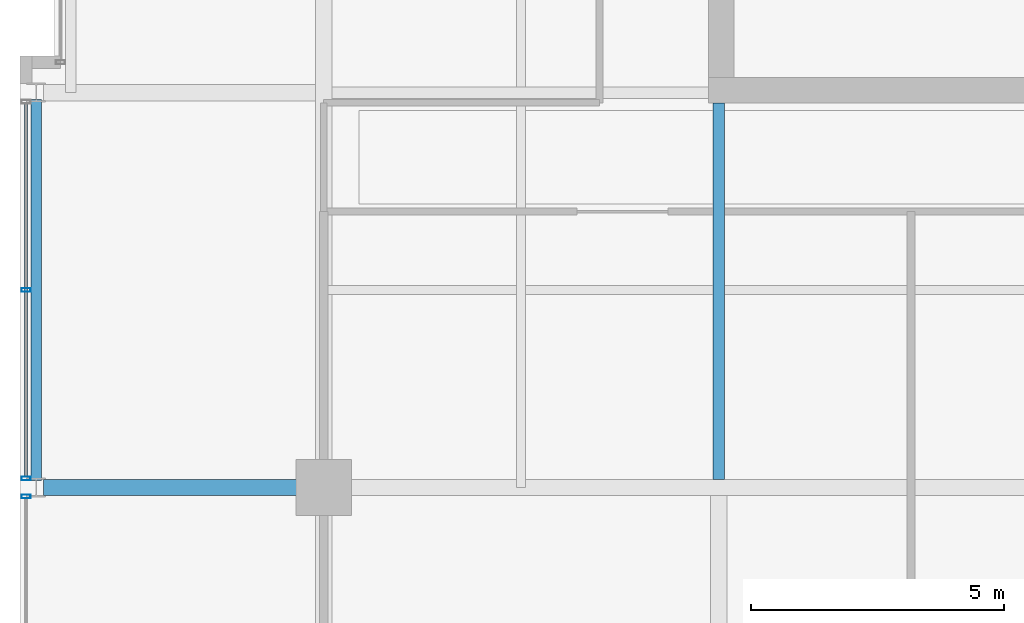
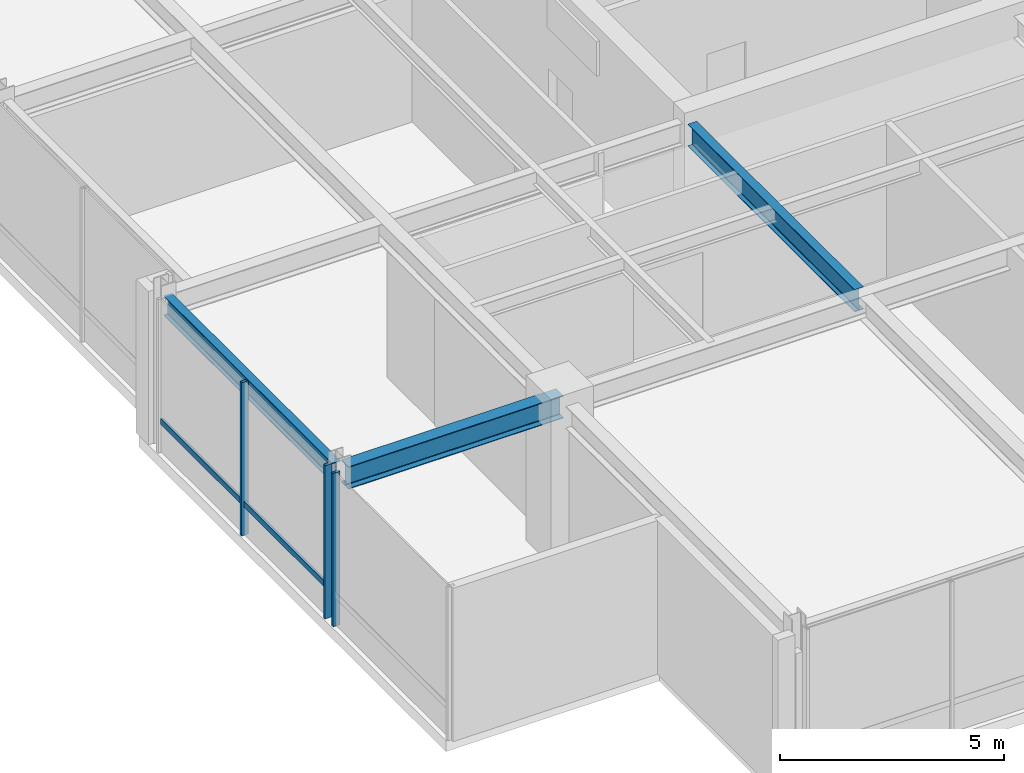
# One storey, part 5 of 32: 4 members, 3 beams, 2 elements without a shape of their own.
"""IFC4 building model written with IfcOpenShell, lengths in metres."""

from ifc_helpers import new_model, si_unit, direction, frame, origin, origin_2d, place, context, subcontext, project, spatial, hollow_rectangle, i_section, extrude, material, layer, layer_set, material_profile, profile_set, type_object, element, aggregate, save


model = new_model("IFC4")

# Units and contexts
model_context = context("Model", 3, precision=1e-05, world=origin(), true_north=direction((0.0, 1.0)))
body_context = subcontext(model_context, "Body", "Model", "MODEL_VIEW")
ifc_project = project(units=[si_unit("LENGTHUNIT", "METRE"), si_unit("AREAUNIT", "SQUARE_METRE"), si_unit("VOLUMEUNIT", "CUBIC_METRE"), si_unit("PLANEANGLEUNIT", "RADIAN"), si_unit("MASSUNIT", "GRAM", prefix="KILO")], contexts=[model_context])

# Site, building, storey
site_placement = place(None, origin())
site = spatial("IfcSite", under=ifc_project, at=site_placement, CompositionType="ELEMENT")
building_placement = place(site_placement, origin())
building = spatial("IfcBuilding", under=site, at=building_placement, Name="Drelvath Grand Hotel", CompositionType="ELEMENT")
storey_placement = place(building_placement, frame((0.0, 0.0, 255.5)))
storey = spatial("IfcBuildingStorey", under=building, at=storey_placement, Name="L67", CompositionType="ELEMENT", Elevation=255.5)

# Curtain wall, member
ifc_material_1 = material(Name="Platinum-Mist Anodised Aluminium Frame", Category="aluminium")
ifc_layer = layer(ifc_material_1, 0.199951171875)
ifc_layer_set = layer_set([ifc_layer], Name="Platinum-Mist Anodised Aluminium Frame")
curtain_wall_type = type_object("IfcCurtainWallType", Name="Stick Curtain Wall CW-05 Platinum Mist High-Rise", PredefinedType="NOTDEFINED", material=ifc_layer_set)
curtain_wall_1_placement = place(storey_placement, origin())
curtain_wall_1 = element("IfcCurtainWall", 1, at=curtain_wall_1_placement, inside=storey, type_object=curtain_wall_type, Name="L67 CW-05 Curtain Wall CW05-L67-WS2", PredefinedType="NOTDEFINED")
ifc_material_profile_1 = material_profile(ifc_material_1, hollow_rectangle(XDim=0.06494140625, YDim=0.159912109375, WallThickness=0.00390625, at=origin_2d()), Name="HSS160X65X4")
ifc_profile_set_1 = profile_set([ifc_material_profile_1], Name="Platinum-Mist Anodised Aluminium Frame")
member_type_1 = type_object("IfcMemberType", Name="Curtain Wall Horizontal Transom CW-05 HSS160X65X4", PredefinedType="USERDEFINED", material=ifc_profile_set_1)
member_1_placement = place(storey_placement, frame((-22.080078125, 11.018310546875, 0.85009765625), z_axis=(0.0, 1.0, 0.0), x_axis=(-1.0, 0.0, 0.0)))
member_1 = element("IfcMember", 2, at=member_1_placement, type_object=member_type_1, Name="CW05-L67-WS2 Sill Transom", ObjectType="TRANSOM", PredefinedType="USERDEFINED", context=body_context, shape_type="SweptSolid", body=[
    extrude(hollow_rectangle(XDim=0.06494140625, YDim=0.159912109375, WallThickness=0.00390625, at=origin_2d()), origin(), (0.0, 0.0, 1.0), 7.363525390625),
])

curtain_wall_2_placement = place(storey_placement, origin())
curtain_wall_2 = element("IfcCurtainWall", 3, at=curtain_wall_2_placement, inside=storey, type_object=curtain_wall_type, Name="L67 CW-05 Curtain Wall CW05-L67-WS1", PredefinedType="NOTDEFINED")
ifc_material_profile_2 = material_profile(ifc_material_1, hollow_rectangle(XDim=0.074951171875, YDim=0.179931640625, WallThickness=0.0048828125, at=origin_2d()), Name="HSS180X75X5")
ifc_profile_set_2 = profile_set([ifc_material_profile_2], Name="Platinum-Mist Anodised Aluminium Frame")
member_type_2 = type_object("IfcMemberType", Name="Curtain Wall Vertical Mullion CW-05 HSS180X75X5", PredefinedType="MULLION", material=ifc_profile_set_2)
member_2_placement = place(storey_placement, frame((-22.080078125, 10.621826171875, 0.0), z_axis=(0.0, 0.0, 1.0), x_axis=(0.0, 1.0, 0.0)))
member_2 = element("IfcMember", 4, at=member_2_placement, type_object=member_type_2, Name="CW05-L67-WS1 Mullion 2", PredefinedType="MULLION", context=body_context, shape_type="SweptSolid", body=[
    extrude(hollow_rectangle(XDim=0.074951171875, YDim=0.179931640625, WallThickness=0.0048828125, at=origin_2d()), origin(), (0.0, 0.0, 1.0), 4.179931640625),
])
aggregate(curtain_wall_2, [member_2])

# Member
member_3_placement = place(storey_placement, frame((-22.080078125, 10.978271484375, 0.0), z_axis=(0.0, 0.0, 1.0), x_axis=(0.0, 1.0, 0.0)))
member_3 = element("IfcMember", 5, at=member_3_placement, type_object=member_type_2, Name="CW05-L67-WS2 Mullion 1", PredefinedType="MULLION", context=body_context, shape_type="SweptSolid", body=[
    extrude(hollow_rectangle(XDim=0.074951171875, YDim=0.179931640625, WallThickness=0.0048828125, at=origin_2d()), origin(), (0.0, 0.0, 1.0), 4.179931640625),
])

member_4_placement = place(storey_placement, frame((-22.080078125, 14.699951171875, 0.0), z_axis=(0.0, 0.0, 1.0), x_axis=(0.0, 1.0, 0.0)))
member_4 = element("IfcMember", 6, at=member_4_placement, type_object=member_type_2, Name="CW05-L67-WS2 Mullion 2", PredefinedType="MULLION", context=body_context, shape_type="SweptSolid", body=[
    extrude(hollow_rectangle(XDim=0.074951171875, YDim=0.179931640625, WallThickness=0.0048828125, at=origin_2d()), origin(), (0.0, 0.0, 1.0), 4.179931640625),
])

aggregate(curtain_wall_1, [member_3, member_4, member_1])

# Beams
ifc_material_2 = material(Name="Steel ASTM A992 Gr 50", Category="steel")
ifc_material_profile_3 = material_profile(ifc_material_2, i_section(OverallWidth=0.210205078125, OverallDepth=0.53662109375, WebThickness=0.010986328125, FlangeThickness=0.017333984375, FilletRadius=0.01806640625, at=origin_2d()), Name="W21X68")
ifc_profile_set_3 = profile_set([ifc_material_profile_3], Name="Steel ASTM A992 Gr 50")
beam_type_1 = type_object("IfcBeamType", Name="Perimeter Spandrel Beam W21X68", PredefinedType="SPANDREL", material=ifc_profile_set_3)
beam_1_placement = place(storey_placement, frame((-21.8798828125, 10.93994140625, 3.91162109375), z_axis=(0.0, 1.0, 0.0), x_axis=(-1.0, 0.0, 0.0)))
element("IfcBeam", 7, at=beam_1_placement, inside=storey, type_object=beam_type_1, Name="L67 Spandrel West S", PredefinedType="SPANDREL", context=body_context, shape_type="SweptSolid", body=[
    extrude(i_section(OverallWidth=0.210205078125, OverallDepth=0.53662109375, WebThickness=0.010986328125, FlangeThickness=0.017333984375, FilletRadius=0.01806640625, at=origin_2d()), origin(), (0.0, 0.0, 1.0), 7.52001953125),
])
ifc_material_profile_4 = material_profile(ifc_material_2, i_section(OverallWidth=0.323974609375, OverallDepth=0.611083984375, WebThickness=0.0126953125, FlangeThickness=0.01904296875, FilletRadius=0.02197265625, at=origin_2d()), Name="W24X104")
ifc_profile_set_4 = profile_set([ifc_material_profile_4], Name="Steel ASTM A992 Gr 50")
beam_type_2 = type_object("IfcBeamType", Name="Primary Floor Girder W24X104", PredefinedType="BEAM", material=ifc_profile_set_4)
beam_2_placement = place(storey_placement, frame((-21.739990234375, 10.800048828125, 3.87451171875), z_axis=(1.0, 0.0, 0.0), x_axis=(0.0, 1.0, 0.0)))
element("IfcBeam", 8, at=beam_2_placement, inside=storey, type_object=beam_type_2, Name="L67 West Grid Girder C", PredefinedType="BEAM", context=body_context, shape_type="SweptSolid", body=[
    extrude(i_section(OverallWidth=0.323974609375, OverallDepth=0.611083984375, WebThickness=0.0126953125, FlangeThickness=0.01904296875, FilletRadius=0.02197265625, at=origin_2d()), origin(), (0.0, 0.0, 1.0), 5.5400390625),
])
ifc_material_profile_5 = material_profile(ifc_material_2, i_section(OverallWidth=0.228271484375, OverallDepth=0.607666015625, WebThickness=0.01123046875, FlangeThickness=0.017333984375, FilletRadius=0.02001953125, at=origin_2d()), Name="W24X76")
ifc_profile_set_5 = profile_set([ifc_material_profile_5], Name="Steel ASTM A992 Gr 50")
beam_type_3 = type_object("IfcBeamType", Name="Primary Floor Girder W24X76", PredefinedType="BEAM", material=ifc_profile_set_5)
beam_3_placement = place(storey_placement, frame((-8.39990234375, 10.9619140625, 3.876220703125), z_axis=(0.0, 1.0, 0.0), x_axis=(-1.0, 0.0, 0.0)))
element("IfcBeam", 9, at=beam_3_placement, inside=storey, type_object=beam_type_3, Name="L67 South Core Tie 4", PredefinedType="BEAM", context=body_context, shape_type="SweptSolid", body=[
    extrude(i_section(OverallWidth=0.228271484375, OverallDepth=0.607666015625, WebThickness=0.01123046875, FlangeThickness=0.017333984375, FilletRadius=0.02001953125, at=origin_2d()), origin(), (0.0, 0.0, 1.0), 7.43798828125),
])

save(model, "model.ifc")
